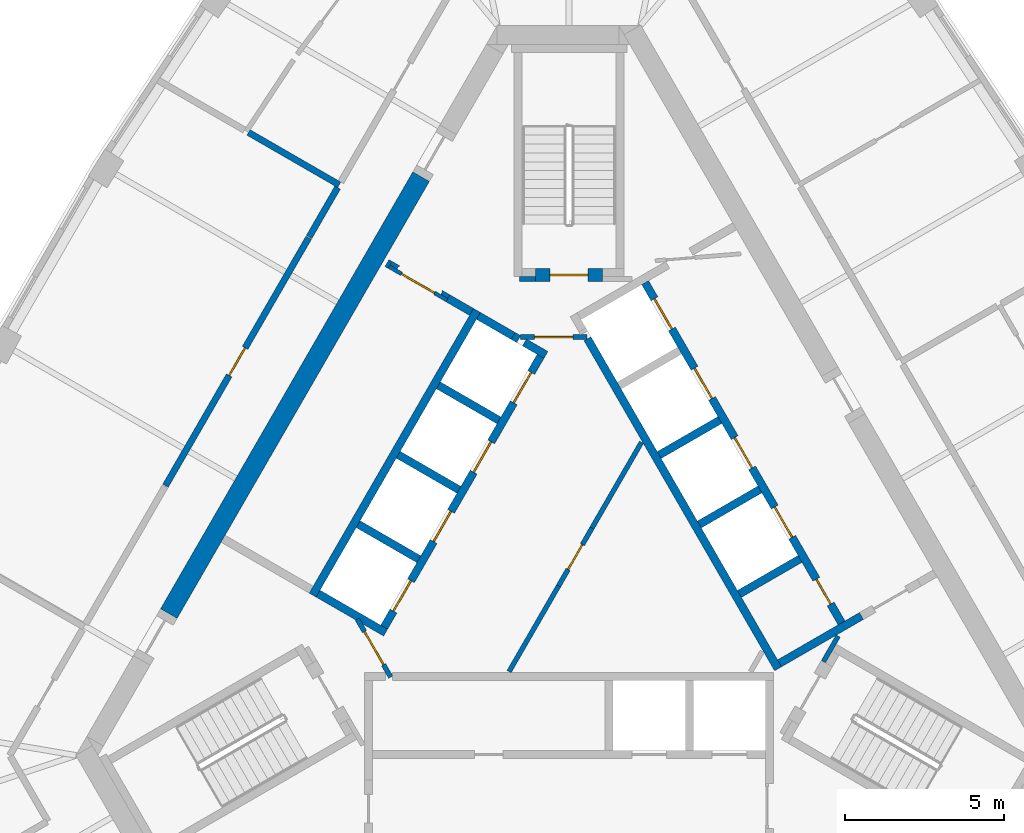
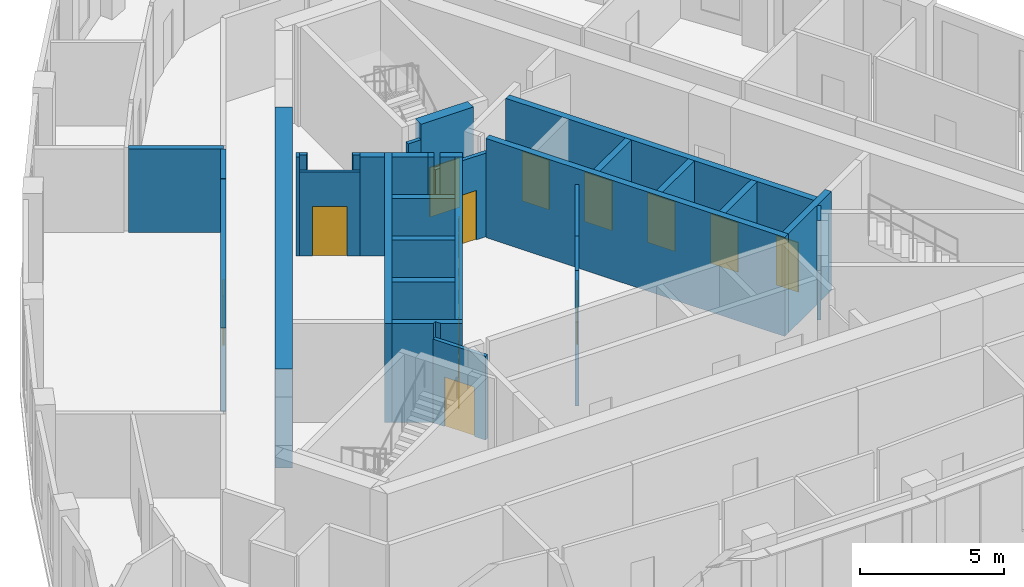
# One storey, part 5 of 10: 32 walls, 15 doors, 15 openings.
"""IFC4 building model written with IfcOpenShell, lengths in metres."""

import ifcopenshell
import ifcopenshell.guid

model = None  # the IFC model being written
_history = None  # IfcOwnerHistory: only IFC2X3 demands one
_inside = {}  # id of a spatial element -> (the spatial element, [elements in it])
_under = {}  # id of a project, library or spatial element -> (it, [spatial elements below it])
_declared = {}  # id of a project -> (the project, [libraries it declares])
_typed = {}  # id of a type object -> (the type object, [elements of that type])
_made_of = {}  # id of a material, layer set ... -> (it, [elements and type objects made of it])


def new_model(schema):
    """Start an empty IFC model of exactly this schema.

    Asked for "IFC4X3", IfcOpenShell would pick the latest addendum, in which some entities
    have other attributes; the version numbers below select the first issue.
    IFC2X3 requires an IfcOwnerHistory on every rooted entity: one is made here for all.
    """
    global model, _history
    if schema == "IFC4X3":
        model = ifcopenshell.file(schema_version=(4, 3, 0, 0))
    else:
        model = ifcopenshell.file(schema=schema)
    _inside.clear()
    _under.clear()
    _declared.clear()
    _typed.clear()
    _made_of.clear()
    _history = None
    if model.schema == "IFC2X3":
        org = make("IfcOrganization", Name="unknown")
        user = make(
            "IfcPersonAndOrganization",
            ThePerson=make("IfcPerson", FamilyName="unknown"),
            TheOrganization=org,
        )
        app = make(
            "IfcApplication",
            ApplicationDeveloper=org,
            Version="unknown",
            ApplicationFullName="unknown",
            ApplicationIdentifier="unknown",
        )
        _history = make(
            "IfcOwnerHistory",
            OwningUser=user,
            OwningApplication=app,
            ChangeAction="ADDED",
            CreationDate=0,
        )
    return model


def make(cls, **values):
    """One entity of the class cls with the attributes given. An attribute that is None is left unset."""
    return model.create_entity(
        cls, **{name: value for name, value in values.items() if value is not None}
    )


def rooted(cls, **values):
    """An entity with a GlobalId (a new one), such as an element, a storey or a relation."""
    return make(cls, GlobalId=ifcopenshell.guid.new(), OwnerHistory=_history, **values)


def si_unit(unit_type, name, prefix=None):
    """IfcSIUnit, for example si_unit("LENGTHUNIT", "METRE", prefix="MILLI")."""
    return make("IfcSIUnit", UnitType=unit_type, Prefix=prefix, Name=name)


def assignment(units):
    """IfcUnitAssignment: the units of a project."""
    return None if units is None else make("IfcUnitAssignment", Units=units)


def point(xyz):
    """IfcCartesianPoint."""
    return None if xyz is None else make("IfcCartesianPoint", Coordinates=xyz)


def direction(xyz):
    """IfcDirection."""
    return None if xyz is None else make("IfcDirection", DirectionRatios=xyz)


def frame(location, z_axis=None, x_axis=None):
    """IfcAxis2Placement3D, a coordinate frame: its origin and axes. An axis left out is left unset."""
    return make(
        "IfcAxis2Placement3D",
        Location=point(location),
        Axis=direction(z_axis),
        RefDirection=direction(x_axis),
    )


def frame_2d(location, x_axis=None):
    """IfcAxis2Placement2D, a coordinate frame in the plane: its origin and x axis."""
    return make(
        "IfcAxis2Placement2D", Location=point(location), RefDirection=direction(x_axis)
    )


def origin():
    """The frame at (0, 0, 0) with its axes left unset."""
    return frame((0.0, 0.0, 0.0))


def place(relative_to, where):
    """IfcLocalPlacement: puts the frame where relative to a parent placement (None: the world)."""
    return make(
        "IfcLocalPlacement", PlacementRelTo=relative_to, RelativePlacement=where
    )


def context(
    kind, dimensions, precision=None, world=None, true_north=None, identifier=None
):
    """IfcGeometricRepresentationContext, for example the 3D "Model" context."""
    return make(
        "IfcGeometricRepresentationContext",
        ContextIdentifier=identifier,
        ContextType=kind,
        CoordinateSpaceDimension=dimensions,
        Precision=precision,
        WorldCoordinateSystem=world,
        TrueNorth=true_north,
    )


def subcontext(parent, identifier, kind, view, scale=None):
    """IfcGeometricRepresentationSubContext, for example "Body" below "Model"."""
    return make(
        "IfcGeometricRepresentationSubContext",
        ContextIdentifier=identifier,
        ContextType=kind,
        ParentContext=parent,
        TargetScale=scale,
        TargetView=view,
    )


def project(units=None, contexts=None):
    """IfcProject with its units and contexts."""
    return rooted(
        "IfcProject",
        Name="project",
        RepresentationContexts=contexts,
        UnitsInContext=assignment(units),
    )


def spatial(cls, under=None, at=None, **own):
    """A site, building, storey or space (cls), placed at a placement, below another one or the project."""
    s = rooted(cls, ObjectPlacement=at, **own)
    if under is not None:
        _under.setdefault(under.id(), (under, []))[1].append(s)
    return s


def polyline(points):
    """IfcPolyline through the points."""
    return make("IfcPolyline", Points=[point(p) for p in points])


def profile(cls, at=None, kind="AREA", **sizes):
    """A parametric profile (cls). Its sizes go by their IFC names, for example OverallWidth=200.0."""
    return make(cls, ProfileType=kind, Position=at, **sizes)


def rectangle(**sizes):
    """IfcRectangleProfileDef."""
    return profile("IfcRectangleProfileDef", **sizes)


def outline(outer, holes=None, kind="AREA"):
    """IfcArbitraryClosedProfileDef: a profile drawn as a closed curve; with holes, ...WithVoids."""
    if holes is None:
        return make("IfcArbitraryClosedProfileDef", ProfileType=kind, OuterCurve=outer)
    return make(
        "IfcArbitraryProfileDefWithVoids",
        ProfileType=kind,
        OuterCurve=outer,
        InnerCurves=holes,
    )


def extrude(swept, where, along, depth):
    """IfcExtrudedAreaSolid: the profile swept, set in the frame where, extruded along a direction by depth."""
    return make(
        "IfcExtrudedAreaSolid",
        SweptArea=swept,
        Position=where,
        ExtrudedDirection=direction(along),
        Depth=depth,
    )


def shape(context_of_items, identifier, shape_type, items):
    """IfcShapeRepresentation: the items that make up one representation, for example the "Body"."""
    return make(
        "IfcShapeRepresentation",
        ContextOfItems=context_of_items,
        RepresentationIdentifier=identifier,
        RepresentationType=shape_type,
        Items=items,
    )


def material(Name=None, Category=None):
    """IfcMaterial."""
    return make("IfcMaterial", Name=Name, Category=Category)


def layer(
    of_material, thickness, ventilated=None, Name=None, Category=None, Priority=None
):
    """IfcMaterialLayer: one layer of a wall or slab, of a material (None: an air gap)."""
    return make(
        "IfcMaterialLayer",
        Material=of_material,
        LayerThickness=thickness,
        IsVentilated=ventilated,
        Name=Name,
        Category=Category,
        Priority=Priority,
    )


def layer_set(layers, Name=None):
    """IfcMaterialLayerSet."""
    return make("IfcMaterialLayerSet", MaterialLayers=layers, LayerSetName=Name)


def made_of(thing, what):
    """Note that an element or type object is made of a material, layer set ...; save() writes the relation."""
    if what is not None:
        _made_of.setdefault(what.id(), (what, []))[1].append(thing)
    return thing


def type_object(cls, material=None, **own):
    """A type object (cls), such as IfcWallType, which elements share."""
    return made_of(rooted(cls, **own), material)


def element(
    cls,
    number,
    at=None,
    inside=None,
    cuts=None,
    type_object=None,
    material=None,
    context=None,
    identifier="Body",
    shape_type=None,
    held_by="IfcProductDefinitionShape",
    body=None,
    shapes=None,
    **own,
):
    """One element of the class cls, such as IfcWall. Its Tag is "e" and its number.

    at: its placement. inside: the storey or other place that contains it. cuts: it is an
    opening in that element (IfcRelVoidsElement). A single representation is given by context,
    identifier, shape_type and body (its items); several are given by shapes. held_by: the class
    of the entity that holds the representations. save() writes the other relations.
    """
    e = rooted(cls, Tag="e%d" % number, ObjectPlacement=at, **own)
    if body is not None:
        shapes = [shape(context, identifier, shape_type, body)]
    if shapes is not None:
        e.Representation = make(held_by, Representations=shapes)
    if inside is not None:
        _inside.setdefault(inside.id(), (inside, []))[1].append(e)
    if cuts is not None:
        rooted(
            "IfcRelVoidsElement", RelatingBuildingElement=cuts, RelatedOpeningElement=e
        )
    if type_object is not None:
        _typed.setdefault(type_object.id(), (type_object, []))[1].append(e)
    return made_of(e, material)


def fill(opening, filler):
    """IfcRelFillsElement: the door or window that sits in an opening."""
    return rooted(
        "IfcRelFillsElement",
        RelatingOpeningElement=opening,
        RelatedBuildingElement=filler,
    )


def aggregate(whole, parts):
    """IfcRelAggregates: a whole, such as a stair, and the parts it consists of."""
    return rooted("IfcRelAggregates", RelatingObject=whole, RelatedObjects=parts)


def save(model, path):
    """Write the relations noted so far, then the file.

    IfcRelAggregates (storeys below a building ...), IfcRelContainedInSpatialStructure (elements
    in a storey), IfcRelDefinesByType, IfcRelAssociatesMaterial and IfcRelDeclares: one each for
    every whole, place, type object, material and project.
    """
    for whole, parts in _under.values():
        aggregate(whole, parts)
    for where, things in _inside.values():
        rooted(
            "IfcRelContainedInSpatialStructure",
            RelatedElements=things,
            RelatingStructure=where,
        )
    for kind, things in _typed.values():
        rooted("IfcRelDefinesByType", RelatedObjects=things, RelatingType=kind)
    for what, things in _made_of.values():
        rooted("IfcRelAssociatesMaterial", RelatedObjects=things, RelatingMaterial=what)
    for by, libraries in _declared.values():
        rooted("IfcRelDeclares", RelatingContext=by, RelatedDefinitions=libraries)
    model.write(path)


model = new_model("IFC4")

# Units and contexts
model_context = context("Model", 3, precision=1e-05, world=origin(), true_north=direction((0.0, 1.0)))
body_context = subcontext(model_context, "Body", "Model", "MODEL_VIEW")
ifc_project = project(units=[si_unit("LENGTHUNIT", "METRE"), si_unit("AREAUNIT", "SQUARE_METRE"), si_unit("VOLUMEUNIT", "CUBIC_METRE"), si_unit("PLANEANGLEUNIT", "RADIAN"), si_unit("MASSUNIT", "GRAM", prefix="KILO")], contexts=[model_context])

# Site, building, storey
site_placement = place(None, origin())
site = spatial("IfcSite", under=ifc_project, at=site_placement, CompositionType="ELEMENT")
building_placement = place(site_placement, origin())
building = spatial("IfcBuilding", under=site, at=building_placement, Name="Mestral Congress Tower", CompositionType="ELEMENT")
storey_placement = place(building_placement, frame((0.0, 0.0, 309.0)))
storey = spatial("IfcBuildingStorey", under=building, at=storey_placement, Name="L72", CompositionType="ELEMENT", Elevation=309.0)

# Walls
ifc_material_1 = material(Name="Fire-rated board partition")
ifc_layer_1 = layer(ifc_material_1, 0.14990234375)
ifc_layer_set_1 = layer_set([ifc_layer_1], Name="Fire-rated board partition")
wall_type_1 = type_object("IfcWallType", Name="Core partition 150", PredefinedType="PARTITIONING", material=ifc_layer_set_1)
wall_1_placement = place(storey_placement, frame((-1.56396484375, 8.62548828125, 0.0), z_axis=(0.0, 0.0, 1.0), x_axis=(1.0, 0.0, 0.0)))
element("IfcWall", 1, at=wall_1_placement, inside=storey, type_object=wall_type_1, Name="L72 core wall", PredefinedType="PARTITIONING", context=body_context, shape_type="SweptSolid", body=[
    extrude(rectangle(XDim=0.513916015625, YDim=0.14990234375, at=frame_2d((0.2568359375, 0.0))), origin(), (0.0, 0.0, 1.0), 3.550048828125),
])
wall_2_placement = place(storey_placement, frame((-1.886962890625, -3.71826171875, 0.0), z_axis=(0.0, 0.0, 1.0), x_axis=(0.500043732237, 0.866000153493, 0.0)))
element("IfcWall", 2, at=wall_2_placement, inside=storey, type_object=wall_type_1, Name="L72 core wall", PredefinedType="PARTITIONING", context=body_context, shape_type="SweptSolid", body=[
    extrude(rectangle(XDim=3.113525390625, YDim=0.14990234375, at=frame_2d((1.556640625, 0.0))), origin(), (0.0, 0.0, 1.0), 3.550048828125),
])
wall_3_placement = place(storey_placement, frame((0.719970703125, 0.796875, 0.0), z_axis=(0.0, 0.0, 1.0), x_axis=(0.499984921984, 0.866034108906, 0.0)))
element("IfcWall", 3, at=wall_3_placement, inside=storey, type_object=wall_type_1, Name="L72 core wall", PredefinedType="PARTITIONING", context=body_context, shape_type="SweptSolid", body=[
    extrude(rectangle(XDim=3.11328125, YDim=0.14990234375, at=frame_2d((1.556640625, 0.0))), origin(), (0.0, 0.0, 1.0), 3.550048828125),
])

# Wall, opening, door
wall_4_placement = place(storey_placement, frame((-0.330078125, -1.021728515625, 0.0), z_axis=(0.0, 0.0, 1.0), x_axis=(0.500027713859, 0.866009402589, 0.0)))
wall_4 = element("IfcWall", 4, at=wall_4_placement, inside=storey, type_object=wall_type_1, Name="L72 door wall", PredefinedType="PARTITIONING", context=body_context, shape_type="SweptSolid", body=[
    extrude(rectangle(XDim=2.10009765625, YDim=0.14990234375, at=frame_2d((1.050048828125, 0.0))), origin(), (0.0, 0.0, 1.0), 3.550048828125),
])
opening_1_placement = place(wall_4_placement, frame((0.60009765625, 0.0, 0.0)))
opening_1 = element("IfcOpeningElement", 5, at=opening_1_placement, cuts=wall_4, Name="Opening CD1-HUB0", PredefinedType="OPENING", context=body_context, shape_type="SweptSolid", body=[
    extrude(rectangle(XDim=0.89990234375, YDim=2.10009765625, at=frame_2d((0.449951171875, 1.050048828125))), frame((0.0, 0.0849609375, 0.0), z_axis=(0.0, -1.0, 0.0), x_axis=(1.0, 0.0, 0.0)), (0.0, 0.0, 1.0), 0.169921875),
])
ifc_material_2 = material(Name="Fire-rated steel door set", Category="steel")
door_type_1 = type_object("IfcDoorType", Name="Core door CD 900x2100", OperationType="SINGLE_SWING_LEFT", PredefinedType="DOOR", material=ifc_material_2)
door_1_placement = place(opening_1_placement, origin())
door_1 = element("IfcDoor", 6, at=door_1_placement, inside=storey, type_object=door_type_1, Name="Door CD1-HUB0", OperationType="SINGLE_SWING_LEFT", OverallHeight=2.10009765625, OverallWidth=0.89990234375, PredefinedType="DOOR", context=body_context, shape_type="SweptSolid", body=[
    extrude(rectangle(XDim=0.89990234375, YDim=2.10009765625, at=frame_2d((0.449951171875, 1.050048828125))), frame((0.0, 0.02490234375, 0.0), z_axis=(0.0, -1.0, 0.0), x_axis=(1.0, 0.0, 0.0)), (0.0, 0.0, 1.0), 0.050048828125),
])
fill(opening_1, door_1)

wall_5_placement = place(storey_placement, frame((-1.534423828125, 6.800048828125, 0.0), z_axis=(0.0, 0.0, 1.0), x_axis=(1.0, 0.0, 0.0)))
wall_5 = element("IfcWall", 7, at=wall_5_placement, inside=storey, type_object=wall_type_1, Name="L72 door wall", PredefinedType="PARTITIONING", context=body_context, shape_type="SweptSolid", body=[
    extrude(rectangle(XDim=2.099853515625, YDim=0.14990234375, at=frame_2d((1.0498046875, 0.0))), origin(), (0.0, 0.0, 1.0), 3.550048828125),
])
opening_2_placement = place(wall_5_placement, frame((0.449951171875, 0.0, 0.0)))
opening_2 = element("IfcOpeningElement", 8, at=opening_2_placement, cuts=wall_5, Name="Opening CD2-FF", PredefinedType="OPENING", context=body_context, shape_type="SweptSolid", body=[
    extrude(rectangle(XDim=1.199951171875, YDim=2.10009765625, at=frame_2d((0.60009765625, 1.050048828125))), frame((0.0, 0.0849609375, 0.0), z_axis=(0.0, -1.0, 0.0), x_axis=(1.0, 0.0, 0.0)), (0.0, 0.0, 1.0), 0.169921875),
])
door_type_2 = type_object("IfcDoorType", Name="Core door CD 1200x2100", OperationType="SINGLE_SWING_LEFT", PredefinedType="DOOR", material=ifc_material_2)
door_2_placement = place(opening_2_placement, origin())
door_2 = element("IfcDoor", 9, at=door_2_placement, inside=storey, type_object=door_type_2, Name="Door CD2-FF", OperationType="SINGLE_SWING_LEFT", OverallHeight=2.10009765625, OverallWidth=1.199951171875, PredefinedType="DOOR", context=body_context, shape_type="SweptSolid", body=[
    extrude(rectangle(XDim=1.199951171875, YDim=2.10009765625, at=frame_2d((0.60009765625, 1.050048828125))), frame((0.0, 0.02490234375, 0.0), z_axis=(0.0, -1.0, 0.0), x_axis=(1.0, 0.0, 0.0)), (0.0, 0.0, 1.0), 0.050048828125),
])
fill(opening_2, door_2)

wall_6_placement = place(storey_placement, frame((-5.606201171875, -3.8896484375, 0.0), z_axis=(0.0, 0.0, 1.0), x_axis=(-0.500027713859, 0.866009402589, 0.0)))
wall_6 = element("IfcWall", 10, at=wall_6_placement, inside=storey, type_object=wall_type_1, Name="L72 door wall", PredefinedType="PARTITIONING", context=body_context, shape_type="SweptSolid", body=[
    extrude(rectangle(XDim=2.10009765625, YDim=0.14990234375, at=frame_2d((1.050048828125, 0.0))), origin(), (0.0, 0.0, 1.0), 3.550048828125),
])
opening_3_placement = place(wall_6_placement, frame((0.449951171875, 0.0, 0.0)))
opening_3 = element("IfcOpeningElement", 11, at=opening_3_placement, cuts=wall_6, Name="Opening CD3-FF", PredefinedType="OPENING", context=body_context, shape_type="SweptSolid", body=[
    extrude(rectangle(XDim=1.199951171875, YDim=2.10009765625, at=frame_2d((0.60009765625, 1.050048828125))), frame((0.0, 0.0849609375, 0.0), z_axis=(0.0, -1.0, 0.0), x_axis=(1.0, 0.0, 0.0)), (0.0, 0.0, 1.0), 0.169921875),
])
door_3_placement = place(opening_3_placement, origin())
door_3 = element("IfcDoor", 12, at=door_3_placement, inside=storey, type_object=door_type_2, Name="Door CD3-FF", OperationType="SINGLE_SWING_LEFT", OverallHeight=2.10009765625, OverallWidth=1.199951171875, PredefinedType="DOOR", context=body_context, shape_type="SweptSolid", body=[
    extrude(rectangle(XDim=1.199951171875, YDim=2.10009765625, at=frame_2d((0.60009765625, 1.050048828125))), frame((0.0, 0.02490234375, 0.0), z_axis=(0.0, -1.0, 0.0), x_axis=(1.0, 0.0, 0.0)), (0.0, 0.0, 1.0), 0.050048828125),
])
fill(opening_3, door_3)

ifc_layer_2 = layer(ifc_material_1, 0.1201171875)
ifc_layer_set_2 = layer_set([ifc_layer_2], Name="Fire-rated board partition")
wall_type_2 = type_object("IfcWallType", Name="Core partition 150 door-wall 120", PredefinedType="PARTITIONING", material=ifc_layer_set_2)
wall_7_placement = place(storey_placement, frame((-5.65869140625, 9.01171875, 0.0), z_axis=(0.0, 0.0, 1.0), x_axis=(0.866009402589, -0.500027713859, 0.0)))
wall_7 = element("IfcWall", 13, at=wall_7_placement, inside=storey, type_object=wall_type_2, Name="L72 door wall", PredefinedType="PARTITIONING", context=body_context, shape_type="SweptSolid", body=[
    extrude(rectangle(XDim=2.10009765625, YDim=0.1201171875, at=frame_2d((1.050048828125, 0.0))), origin(), (0.0, 0.0, 1.0), 3.550048828125),
])
opening_4_placement = place(wall_7_placement, frame((0.449951171875, 0.0, 0.0)))
opening_4 = element("IfcOpeningElement", 14, at=opening_4_placement, cuts=wall_7, Name="Opening LB2-WL2", PredefinedType="OPENING", context=body_context, shape_type="SweptSolid", body=[
    extrude(rectangle(XDim=1.199951171875, YDim=2.10009765625, at=frame_2d((0.60009765625, 1.050048828125))), frame((0.0, 0.070068359375, 0.0), z_axis=(0.0, -1.0, 0.0), x_axis=(1.0, 0.0, 0.0)), (0.0, 0.0, 1.0), 0.14013671875),
])
door_type_3 = type_object("IfcDoorType", Name="Core door LB 1200x2100", OperationType="SINGLE_SWING_LEFT", PredefinedType="DOOR", material=ifc_material_2)
door_4_placement = place(opening_4_placement, origin())
door_4 = element("IfcDoor", 15, at=door_4_placement, inside=storey, type_object=door_type_3, Name="Door LB2-WL2", OperationType="SINGLE_SWING_LEFT", OverallHeight=2.10009765625, OverallWidth=1.199951171875, PredefinedType="DOOR", context=body_context, shape_type="SweptSolid", body=[
    extrude(rectangle(XDim=1.199951171875, YDim=2.10009765625, at=frame_2d((0.60009765625, 1.050048828125))), frame((0.0, 0.02490234375, 0.0), z_axis=(0.0, -1.0, 0.0), x_axis=(1.0, 0.0, 0.0)), (0.0, 0.0, 1.0), 0.050048828125),
])
fill(opening_4, door_4)

# Walls
ifc_material_3 = material(Name="Concrete C60/75", Category="concrete")
ifc_layer_3 = layer(ifc_material_3, 0.60009765625)
ifc_layer_set_3 = layer_set([ifc_layer_3], Name="Concrete C60/75")
wall_type_3 = type_object("IfcWallType", Name="Core wall RC 600", PredefinedType="SOLIDWALL", material=ifc_layer_set_3)
wall_8_placement = place(storey_placement, frame((-12.58154296875, -1.891845703125, 0.0), z_axis=(0.0, 0.0, 1.0), x_axis=(0.500003640647, 0.866023301845, 0.0)))
element("IfcWall", 16, at=wall_8_placement, inside=storey, type_object=wall_type_3, Name="L72 core wall", PredefinedType="SOLIDWALL", context=body_context, shape_type="SweptSolid", body=[
    extrude(rectangle(XDim=15.8583984375, YDim=0.60009765625, at=frame_2d((7.92919921875, 0.0))), origin(), (0.0, 0.0, 1.0), 4.199951171875),
])
ifc_material_4 = material(Name="Dense masonry wall, plastered", Category="masonry")
ifc_layer_4 = layer(ifc_material_4, 0.199951171875)
ifc_layer_set_4 = layer_set([ifc_layer_4], Name="Dense masonry wall, plastered")
wall_type_4 = type_object("IfcWallType", Name="Office tenancy wall 200", PredefinedType="PARTITIONING", material=ifc_layer_set_4)
wall_9_placement = place(storey_placement, frame((-7.2255859375, 11.585205078125, 0.0), z_axis=(0.0, 0.0, 1.0), x_axis=(-0.866034923029, 0.499983511822, 0.0)))
element("IfcWall", 17, at=wall_9_placement, inside=storey, type_object=wall_type_4, Name="Tenancy wall", PredefinedType="PARTITIONING", context=body_context, shape_type="SweptSolid", body=[
    extrude(rectangle(XDim=3.2919921875, YDim=0.199951171875, at=frame_2d((1.64599609375, 0.0))), origin(), (0.0, 0.0, 1.0), 3.550048828125),
])

# Wall, opening, door
wall_10_placement = place(storey_placement, frame((-8.185546875, 9.922119140625, 0.0), z_axis=(0.0, 0.0, 1.0), x_axis=(-0.5000018851, -0.866024315419, 0.0)))
wall_10 = element("IfcWall", 18, at=wall_10_placement, inside=storey, type_object=wall_type_4, Name="Tenancy wall", PredefinedType="PARTITIONING", context=body_context, shape_type="SweptSolid", body=[
    extrude(rectangle(XDim=9.0, YDim=0.199951171875, at=frame_2d((4.5, 0.0))), origin(), (0.0, 0.0, 1.0), 3.550048828125),
])
opening_5_placement = place(wall_10_placement, frame((4.0, 0.0, 0.0)))
opening_5 = element("IfcOpeningElement", 19, at=opening_5_placement, cuts=wall_10, Name="Opening O14-014", PredefinedType="OPENING", context=body_context, shape_type="SweptSolid", body=[
    extrude(rectangle(XDim=1.0, YDim=2.10009765625, at=frame_2d((0.5, 1.050048828125))), frame((0.0, 0.10986328125, 0.0), z_axis=(0.0, -1.0, 0.0), x_axis=(1.0, 0.0, 0.0)), (0.0, 0.0, 1.0), 0.219970703125),
])
ifc_material_5 = material(Name="Fire-rated timber door set", Category="wood")
door_type_4 = type_object("IfcDoorType", Name="Office tenancy entrance door 1000x2100", OperationType="SINGLE_SWING_LEFT", PredefinedType="DOOR", material=ifc_material_5)
door_5_placement = place(opening_5_placement, origin())
door_5 = element("IfcDoor", 20, at=door_5_placement, inside=storey, type_object=door_type_4, Name="Door O14-014", OperationType="SINGLE_SWING_LEFT", OverallHeight=2.10009765625, OverallWidth=1.0, PredefinedType="DOOR", context=body_context, shape_type="SweptSolid", body=[
    extrude(rectangle(XDim=1.0, YDim=2.10009765625, at=frame_2d((0.5, 1.050048828125))), frame((0.0, 0.02490234375, 0.0), z_axis=(0.0, -1.0, 0.0), x_axis=(1.0, 0.0, 0.0)), (0.0, 0.0, 1.0), 0.050048828125),
])
fill(opening_5, door_5)

# Walls
wall_11_placement = place(storey_placement, frame((-7.275390625, 11.49853515625, 0.0), z_axis=(0.0, 0.0, 1.0), x_axis=(-0.500025407441, -0.866010734295, 0.0)))
element("IfcWall", 21, at=wall_11_placement, inside=storey, type_object=wall_type_4, Name="Tenancy wall", PredefinedType="PARTITIONING", context=body_context, shape_type="SweptSolid", body=[
    extrude(rectangle(XDim=1.79052734375, YDim=0.199951171875, at=frame_2d((0.895263671875, 0.0))), origin(), (0.0, 0.0, 1.0), 3.550048828125),
])
ifc_layer_5 = layer(ifc_material_3, 0.25)
ifc_layer_set_5 = layer_set([ifc_layer_5], Name="Concrete C60/75")
wall_type_5 = type_object("IfcWallType", Name="Shaft wall RC 250", PredefinedType="SOLIDWALL", material=ifc_layer_set_5)
wall_12_placement = place(storey_placement, frame((6.568359375, -3.626708984375, 0.0), z_axis=(0.0, 0.0, 1.0), x_axis=(-0.499999455981, 0.866025717874, 0.0)))
element("IfcWall", 22, at=wall_12_placement, inside=storey, type_object=wall_type_5, Name="L72 core wall", PredefinedType="SOLIDWALL", context=body_context, shape_type="SweptSolid", body=[
    extrude(rectangle(XDim=11.97802734375, YDim=0.25, at=frame_2d((5.989013671875, 0.0))), origin(), (0.0, 0.0, 1.0), 4.199951171875),
])
for number, where, z_axis, x_axis, name in (
    (23, (2.833984375, 3.091064453125, 0.0), (0.0, 0.0, 1.0), (0.866008176907, 0.50002983664, 0.0), "L72 core wall"),
    (24, (4.093994140625, 0.90869140625, 0.0), (0.0, 0.0, 1.0), (0.866008176907, 0.50002983664, 0.0), "L72 core wall"),
    (25, (5.35400390625, -1.273681640625, 0.0), (0.0, 0.0, 1.0), (0.866008176907, 0.50002983664, 0.0), "L72 core wall"),
):
    element("IfcWall", number, at=place(storey_placement, frame(where, z_axis=z_axis, x_axis=x_axis)), inside=storey, type_object=wall_type_5, Name=name, PredefinedType="SOLIDWALL", context=body_context, shape_type="SweptSolid", body=[
        extrude(rectangle(XDim=2.199951171875, YDim=0.25, at=frame_2d((1.10009765625, 0.0))), origin(), (0.0, 0.0, 1.0), 4.199951171875),
    ])
wall_13_placement = place(storey_placement, frame((6.614013671875, -3.4560546875, 0.0), z_axis=(0.0, 0.0, 1.0), x_axis=(0.866032512851, 0.499987686533, 0.0)))
element("IfcWall", 26, at=wall_13_placement, inside=storey, type_object=wall_type_5, Name="L72 core wall", PredefinedType="SOLIDWALL", context=body_context, shape_type="SweptSolid", body=[
    extrude(rectangle(XDim=2.974609375, YDim=0.25, at=frame_2d((1.4873046875, 0.0))), origin(), (0.0, 0.0, 1.0), 4.199951171875),
])
wall_14_placement = place(storey_placement, frame((-8.06005859375, -1.310546875, 0.0), z_axis=(0.0, 0.0, 1.0), x_axis=(0.50000273126, 0.866023826885, 0.0)))
element("IfcWall", 27, at=wall_14_placement, inside=storey, type_object=wall_type_5, Name="L72 core wall", PredefinedType="SOLIDWALL", context=body_context, shape_type="SweptSolid", body=[
    extrude(rectangle(XDim=10.330078125, YDim=0.25, at=frame_2d((5.1650390625, 0.0))), origin(), (0.0, 0.0, 1.0), 4.199951171875),
])
wall_15_placement = place(storey_placement, frame((-1.75830078125, 6.834716796875, 0.0), z_axis=(0.0, 0.0, 1.0), x_axis=(0.865982457891, -0.500074377092, 0.0)))
element("IfcWall", 28, at=wall_15_placement, inside=storey, type_object=wall_type_5, Name="L72 core wall", PredefinedType="SOLIDWALL", context=body_context, shape_type="SweptSolid", body=[
    extrude(rectangle(XDim=0.2001953125, YDim=0.25, at=frame_2d((0.10009765625, 0.0))), origin(), (0.0, 0.0, 1.0), 4.199951171875),
])
wall_16_placement = place(storey_placement, frame((-1.760009765625, 6.835693359375, 0.0), z_axis=(0.0, 0.0, 1.0), x_axis=(-0.865952863304, 0.500125622755, 0.0)))
element("IfcWall", 29, at=wall_16_placement, inside=storey, type_object=wall_type_5, Name="L72 core wall", PredefinedType="SOLIDWALL", context=body_context, shape_type="SweptSolid", body=[
    extrude(rectangle(XDim=1.258056640625, YDim=0.25, at=frame_2d((0.62890625, 0.0))), origin(), (0.0, 0.0, 1.0), 4.199951171875),
])
wall_17_placement = place(storey_placement, frame((-0.7275390625, 6.23974609375, 0.0), z_axis=(0.0, 0.0, 1.0), x_axis=(-0.865955664968, 0.500120771724, 0.0)))
element("IfcWall", 30, at=wall_17_placement, inside=storey, type_object=wall_type_5, Name="L72 core wall", PredefinedType="SOLIDWALL", context=body_context, shape_type="SweptSolid", body=[
    extrude(rectangle(XDim=0.778076171875, YDim=0.25, at=frame_2d((0.38916015625, 0.0))), origin(), (0.0, 0.0, 1.0), 4.199951171875),
])
for number, where, z_axis, x_axis, name in (
    (31, (-2.2041015625, 4.182373046875, 0.0), (0.0, 0.0, 1.0), (-0.866008176907, 0.50002983664, 0.0), "L72 core wall"),
    (32, (-5.369384765625, 3.10009765625, 0.0), (0.0, 0.0, 1.0), (0.866008176907, -0.50002983664, 0.0), "L72 core wall"),
    (33, (-4.72412109375, -0.182373046875, 0.0), (0.0, 0.0, 1.0), (-0.866008176907, 0.50002983664, 0.0), "L72 core wall"),
):
    element("IfcWall", number, at=place(storey_placement, frame(where, z_axis=z_axis, x_axis=x_axis)), inside=storey, type_object=wall_type_5, Name=name, PredefinedType="SOLIDWALL", context=body_context, shape_type="SweptSolid", body=[
        extrude(rectangle(XDim=2.199951171875, YDim=0.25, at=frame_2d((1.10009765625, 0.0))), origin(), (0.0, 0.0, 1.0), 4.199951171875),
    ])
placement = place(storey_placement, origin())
element("IfcWall", 34, at=placement, inside=storey, type_object=wall_type_5, Name="L72 core wall", PredefinedType="SOLIDWALL", context=body_context, shape_type="SweptSolid", body=[
    extrude(outline(polyline([(-5.921630859375, -2.256591796875), (-5.921630859375, -2.256591796875), (-5.705078125, -2.381591796875), (-5.830078125, -2.597900390625), (-6.48291015625, -2.22119140625), (-6.59130859375, -2.033447265625), (-6.59130859375, -2.033447265625), (-6.69970703125, -2.095947265625), (-7.951904296875, -1.373046875), (-7.826904296875, -1.156494140625), (-5.921630859375, -2.256591796875)])), origin(), (0.0, 0.0, 1.0), 4.199951171875),
])
wall_19_placement = place(storey_placement, frame((-5.724609375, 9.124755859375, 0.0), z_axis=(0.0, 0.0, 1.0), x_axis=(0.866185586049, -0.49972245349, 0.0)))
element("IfcWall", 35, at=wall_19_placement, inside=storey, type_object=wall_type_5, Name="L72 core wall", PredefinedType="SOLIDWALL", context=body_context, shape_type="SweptSolid", body=[
    extrude(rectangle(XDim=0.10986328125, YDim=0.25, at=frame_2d((0.054931640625, 0.0))), origin(), (0.0, 0.0, 1.0), 4.199951171875),
])
wall_20_placement = place(storey_placement, frame((-3.06591796875, 7.58984375, 0.0), z_axis=(0.0, 0.0, 1.0), x_axis=(-0.866081358704, 0.49990307071, 0.0)))
element("IfcWall", 36, at=wall_20_placement, inside=storey, type_object=wall_type_5, Name="L72 core wall", PredefinedType="SOLIDWALL", context=body_context, shape_type="SweptSolid", body=[
    extrude(rectangle(XDim=0.858154296875, YDim=0.25, at=frame_2d((0.42919921875, 0.0))), origin(), (0.0, 0.0, 1.0), 4.199951171875),
])
element("IfcWall", 37, at=placement, inside=storey, type_object=wall_type_5, Name="L72 core wall", PredefinedType="SOLIDWALL", context=body_context, shape_type="SweptSolid", body=[
    extrude(outline(polyline([(-3.748291015625, 8.1279296875), (-3.813232421875, 8.015380859375), (-4.026611328125, 8.138671875), (-4.0166015625, 8.156005859375), (-4.007568359375, 8.17333984375), (-4.000244140625, 8.191650390625), (-3.994873046875, 8.21044921875), (-3.991455078125, 8.229736328125), (-3.98974609375, 8.24951171875), (-3.989990234375, 8.267578125), (-3.748291015625, 8.1279296875)])), origin(), (0.0, 0.0, 1.0), 4.199951171875),
])
element("IfcWall", 38, at=placement, inside=storey, type_object=wall_type_5, Name="L72 core wall", PredefinedType="SOLIDWALL", context=body_context, shape_type="SweptSolid", body=[
    extrude(outline(polyline([(-5.688720703125, 8.959716796875), (-5.690185546875, 8.960693359375), (-5.565185546875, 9.177001953125), (-5.318603515625, 9.03466796875), (-5.334716796875, 9.02587890625), (-5.3505859375, 9.0146484375), (-5.36572265625, 9.001953125), (-5.37939453125, 8.98779296875), (-5.3916015625, 8.972412109375), (-5.402099609375, 8.955810546875), (-5.412109375, 8.938720703125), (-5.628662109375, 9.063720703125), (-5.628662109375, 9.063720703125), (-5.688720703125, 8.959716796875)])), origin(), (0.0, 0.0, 1.0), 4.199951171875),
])

# Wall, openings, doors
wall_23_placement = place(storey_placement, frame((8.565185546875, -2.185302734375, 0.0), z_axis=(0.0, 0.0, 1.0), x_axis=(-0.499997954832, 0.866026584559, 0.0)))
wall_23 = element("IfcWall", 39, at=wall_23_placement, inside=storey, type_object=wall_type_5, Name="L72 door wall", PredefinedType="SOLIDWALL", context=body_context, shape_type="SweptSolid", body=[
    extrude(rectangle(XDim=12.35009765625, YDim=0.25, at=frame_2d((6.175048828125, 0.0))), origin(), (0.0, 0.0, 1.0), 4.199951171875),
])
opening_6_placement = place(wall_23_placement, frame((0.68505859375, 0.0, 0.0)))
opening_6 = element("IfcOpeningElement", 40, at=opening_6_placement, cuts=wall_23, Name="Opening SR-NEB1", PredefinedType="OPENING", context=body_context, shape_type="SweptSolid", body=[
    extrude(rectangle(XDim=0.89990234375, YDim=2.10009765625, at=frame_2d((0.449951171875, 1.050048828125))), frame((0.0, 0.135009765625, 0.0), z_axis=(0.0, -1.0, 0.0), x_axis=(1.0, 0.0, 0.0)), (0.0, 0.0, 1.0), 0.27001953125),
])
opening_7_placement = place(wall_23_placement, frame((3.10498046875, 0.0, 0.0)))
opening_7 = element("IfcOpeningElement", 41, at=opening_7_placement, cuts=wall_23, Name="Opening LD-NEB2", PredefinedType="OPENING", context=body_context, shape_type="SweptSolid", body=[
    extrude(rectangle(XDim=1.10009765625, YDim=2.10009765625, at=frame_2d((0.550048828125, 1.050048828125))), frame((0.0, 0.135009765625, 0.0), z_axis=(0.0, -1.0, 0.0), x_axis=(1.0, 0.0, 0.0)), (0.0, 0.0, 1.0), 0.27001953125),
])
opening_8_placement = place(wall_23_placement, frame((5.625, 0.0, 0.0)))
opening_8 = element("IfcOpeningElement", 42, at=opening_8_placement, cuts=wall_23, Name="Opening LD-NEB3", PredefinedType="OPENING", context=body_context, shape_type="SweptSolid", body=[
    extrude(rectangle(XDim=1.10009765625, YDim=2.10009765625, at=frame_2d((0.550048828125, 1.050048828125))), frame((0.0, 0.135009765625, 0.0), z_axis=(0.0, -1.0, 0.0), x_axis=(1.0, 0.0, 0.0)), (0.0, 0.0, 1.0), 0.27001953125),
])
opening_9_placement = place(wall_23_placement, frame((8.14501953125, 0.0, 0.0)))
opening_9 = element("IfcOpeningElement", 43, at=opening_9_placement, cuts=wall_23, Name="Opening LD-NEB4", PredefinedType="OPENING", context=body_context, shape_type="SweptSolid", body=[
    extrude(rectangle(XDim=1.10009765625, YDim=2.10009765625, at=frame_2d((0.550048828125, 1.050048828125))), frame((0.0, 0.135009765625, 0.0), z_axis=(0.0, -1.0, 0.0), x_axis=(1.0, 0.0, 0.0)), (0.0, 0.0, 1.0), 0.27001953125),
])
opening_10_placement = place(wall_23_placement, frame((10.6650390625, 0.0, 0.0)))
opening_10 = element("IfcOpeningElement", 44, at=opening_10_placement, cuts=wall_23, Name="Opening LD-NEB5", PredefinedType="OPENING", context=body_context, shape_type="SweptSolid", body=[
    extrude(rectangle(XDim=1.10009765625, YDim=2.10009765625, at=frame_2d((0.550048828125, 1.050048828125))), frame((0.0, 0.135009765625, 0.0), z_axis=(0.0, -1.0, 0.0), x_axis=(1.0, 0.0, 0.0)), (0.0, 0.0, 1.0), 0.27001953125),
])
door_type_5 = type_object("IfcDoorType", Name="Core door LD 1100x2100", OperationType="DOUBLE_DOOR_SLIDING", PredefinedType="DOOR", material=ifc_material_2)
door_6_placement = place(opening_7_placement, origin())
door_6 = element("IfcDoor", 45, at=door_6_placement, inside=storey, type_object=door_type_5, Name="Door LD-NEB2", OperationType="DOUBLE_DOOR_SLIDING", OverallHeight=2.10009765625, OverallWidth=1.10009765625, PredefinedType="DOOR", context=body_context, shape_type="SweptSolid", body=[
    extrude(rectangle(XDim=1.10009765625, YDim=2.10009765625, at=frame_2d((0.550048828125, 1.050048828125))), frame((0.0, 0.02490234375, 0.0), z_axis=(0.0, -1.0, 0.0), x_axis=(1.0, 0.0, 0.0)), (0.0, 0.0, 1.0), 0.050048828125),
])
fill(opening_7, door_6)
door_7_placement = place(opening_8_placement, origin())
door_7 = element("IfcDoor", 46, at=door_7_placement, inside=storey, type_object=door_type_5, Name="Door LD-NEB3", OperationType="DOUBLE_DOOR_SLIDING", OverallHeight=2.10009765625, OverallWidth=1.10009765625, PredefinedType="DOOR", context=body_context, shape_type="SweptSolid", body=[
    extrude(rectangle(XDim=1.10009765625, YDim=2.10009765625, at=frame_2d((0.550048828125, 1.050048828125))), frame((0.0, 0.02490234375, 0.0), z_axis=(0.0, -1.0, 0.0), x_axis=(1.0, 0.0, 0.0)), (0.0, 0.0, 1.0), 0.050048828125),
])
fill(opening_8, door_7)
door_8_placement = place(opening_9_placement, origin())
door_8 = element("IfcDoor", 47, at=door_8_placement, inside=storey, type_object=door_type_5, Name="Door LD-NEB4", OperationType="DOUBLE_DOOR_SLIDING", OverallHeight=2.10009765625, OverallWidth=1.10009765625, PredefinedType="DOOR", context=body_context, shape_type="SweptSolid", body=[
    extrude(rectangle(XDim=1.10009765625, YDim=2.10009765625, at=frame_2d((0.550048828125, 1.050048828125))), frame((0.0, 0.02490234375, 0.0), z_axis=(0.0, -1.0, 0.0), x_axis=(1.0, 0.0, 0.0)), (0.0, 0.0, 1.0), 0.050048828125),
])
fill(opening_9, door_8)
door_9_placement = place(opening_10_placement, origin())
door_9 = element("IfcDoor", 48, at=door_9_placement, inside=storey, type_object=door_type_5, Name="Door LD-NEB5", OperationType="DOUBLE_DOOR_SLIDING", OverallHeight=2.10009765625, OverallWidth=1.10009765625, PredefinedType="DOOR", context=body_context, shape_type="SweptSolid", body=[
    extrude(rectangle(XDim=1.10009765625, YDim=2.10009765625, at=frame_2d((0.550048828125, 1.050048828125))), frame((0.0, 0.02490234375, 0.0), z_axis=(0.0, -1.0, 0.0), x_axis=(1.0, 0.0, 0.0)), (0.0, 0.0, 1.0), 0.050048828125),
])
fill(opening_10, door_9)
door_type_6 = type_object("IfcDoorType", Name="Core door SR 900x2100", OperationType="SINGLE_SWING_LEFT", PredefinedType="DOOR", material=ifc_material_2)
door_10_placement = place(opening_6_placement, origin())
door_10 = element("IfcDoor", 49, at=door_10_placement, inside=storey, type_object=door_type_6, Name="Door SR-NEB1", OperationType="SINGLE_SWING_LEFT", OverallHeight=2.10009765625, OverallWidth=0.89990234375, PredefinedType="DOOR", context=body_context, shape_type="SweptSolid", body=[
    extrude(rectangle(XDim=0.89990234375, YDim=2.10009765625, at=frame_2d((0.449951171875, 1.050048828125))), frame((0.0, 0.02490234375, 0.0), z_axis=(0.0, -1.0, 0.0), x_axis=(1.0, 0.0, 0.0)), (0.0, 0.0, 1.0), 0.050048828125),
])
fill(opening_6, door_10)

wall_24_placement = place(storey_placement, frame((-0.898193359375, 6.194091796875, 0.0), z_axis=(0.0, 0.0, 1.0), x_axis=(-0.499996202215, -0.866027596426, 0.0)))
wall_24 = element("IfcWall", 50, at=wall_24_placement, inside=storey, type_object=wall_type_5, Name="L72 door wall", PredefinedType="SOLIDWALL", context=body_context, shape_type="SweptSolid", body=[
    extrude(rectangle(XDim=9.830078125, YDim=0.25, at=frame_2d((4.9150390625, 0.0))), origin(), (0.0, 0.0, 1.0), 4.199951171875),
])
opening_11_placement = place(wall_24_placement, frame((0.5849609375, 0.0, 0.0)))
opening_11 = element("IfcOpeningElement", 51, at=opening_11_placement, cuts=wall_24, Name="Opening LD-NWB1", PredefinedType="OPENING", context=body_context, shape_type="SweptSolid", body=[
    extrude(rectangle(XDim=1.10009765625, YDim=2.10009765625, at=frame_2d((0.550048828125, 1.050048828125))), frame((0.0, 0.135009765625, 0.0), z_axis=(0.0, -1.0, 0.0), x_axis=(1.0, 0.0, 0.0)), (0.0, 0.0, 1.0), 0.27001953125),
])
opening_12_placement = place(wall_24_placement, frame((3.10498046875, 0.0, 0.0)))
opening_12 = element("IfcOpeningElement", 52, at=opening_12_placement, cuts=wall_24, Name="Opening LD-NWB2", PredefinedType="OPENING", context=body_context, shape_type="SweptSolid", body=[
    extrude(rectangle(XDim=1.10009765625, YDim=2.10009765625, at=frame_2d((0.550048828125, 1.050048828125))), frame((0.0, 0.135009765625, 0.0), z_axis=(0.0, -1.0, 0.0), x_axis=(1.0, 0.0, 0.0)), (0.0, 0.0, 1.0), 0.27001953125),
])
opening_13_placement = place(wall_24_placement, frame((5.625, 0.0, 0.0)))
opening_13 = element("IfcOpeningElement", 53, at=opening_13_placement, cuts=wall_24, Name="Opening LD-NWB3", PredefinedType="OPENING", context=body_context, shape_type="SweptSolid", body=[
    extrude(rectangle(XDim=1.10009765625, YDim=2.10009765625, at=frame_2d((0.550048828125, 1.050048828125))), frame((0.0, 0.135009765625, 0.0), z_axis=(0.0, -1.0, 0.0), x_axis=(1.0, 0.0, 0.0)), (0.0, 0.0, 1.0), 0.27001953125),
])
opening_14_placement = place(wall_24_placement, frame((8.14501953125, 0.0, 0.0)))
opening_14 = element("IfcOpeningElement", 54, at=opening_14_placement, cuts=wall_24, Name="Opening LD-NWB4", PredefinedType="OPENING", context=body_context, shape_type="SweptSolid", body=[
    extrude(rectangle(XDim=1.10009765625, YDim=2.10009765625, at=frame_2d((0.550048828125, 1.050048828125))), frame((0.0, 0.135009765625, 0.0), z_axis=(0.0, -1.0, 0.0), x_axis=(1.0, 0.0, 0.0)), (0.0, 0.0, 1.0), 0.27001953125),
])
door_11_placement = place(opening_11_placement, origin())
door_11 = element("IfcDoor", 55, at=door_11_placement, inside=storey, type_object=door_type_5, Name="Door LD-NWB1", OperationType="DOUBLE_DOOR_SLIDING", OverallHeight=2.10009765625, OverallWidth=1.10009765625, PredefinedType="DOOR", context=body_context, shape_type="SweptSolid", body=[
    extrude(rectangle(XDim=1.10009765625, YDim=2.10009765625, at=frame_2d((0.550048828125, 1.050048828125))), frame((0.0, 0.02490234375, 0.0), z_axis=(0.0, -1.0, 0.0), x_axis=(1.0, 0.0, 0.0)), (0.0, 0.0, 1.0), 0.050048828125),
])
fill(opening_11, door_11)
door_12_placement = place(opening_12_placement, origin())
door_12 = element("IfcDoor", 56, at=door_12_placement, inside=storey, type_object=door_type_5, Name="Door LD-NWB2", OperationType="DOUBLE_DOOR_SLIDING", OverallHeight=2.10009765625, OverallWidth=1.10009765625, PredefinedType="DOOR", context=body_context, shape_type="SweptSolid", body=[
    extrude(rectangle(XDim=1.10009765625, YDim=2.10009765625, at=frame_2d((0.550048828125, 1.050048828125))), frame((0.0, 0.02490234375, 0.0), z_axis=(0.0, -1.0, 0.0), x_axis=(1.0, 0.0, 0.0)), (0.0, 0.0, 1.0), 0.050048828125),
])
fill(opening_12, door_12)
door_13_placement = place(opening_13_placement, origin())
door_13 = element("IfcDoor", 57, at=door_13_placement, inside=storey, type_object=door_type_5, Name="Door LD-NWB3", OperationType="DOUBLE_DOOR_SLIDING", OverallHeight=2.10009765625, OverallWidth=1.10009765625, PredefinedType="DOOR", context=body_context, shape_type="SweptSolid", body=[
    extrude(rectangle(XDim=1.10009765625, YDim=2.10009765625, at=frame_2d((0.550048828125, 1.050048828125))), frame((0.0, 0.02490234375, 0.0), z_axis=(0.0, -1.0, 0.0), x_axis=(1.0, 0.0, 0.0)), (0.0, 0.0, 1.0), 0.050048828125),
])
fill(opening_13, door_13)
door_14_placement = place(opening_14_placement, origin())
door_14 = element("IfcDoor", 58, at=door_14_placement, inside=storey, type_object=door_type_5, Name="Door LD-NWB4", OperationType="DOUBLE_DOOR_SLIDING", OverallHeight=2.10009765625, OverallWidth=1.10009765625, PredefinedType="DOOR", context=body_context, shape_type="SweptSolid", body=[
    extrude(rectangle(XDim=1.10009765625, YDim=2.10009765625, at=frame_2d((0.550048828125, 1.050048828125))), frame((0.0, 0.02490234375, 0.0), z_axis=(0.0, -1.0, 0.0), x_axis=(1.0, 0.0, 0.0)), (0.0, 0.0, 1.0), 0.050048828125),
])
fill(opening_14, door_14)

# Wall
ifc_layer_6 = layer(ifc_material_3, 0.14990234375)
ifc_layer_set_6 = layer_set([ifc_layer_6], Name="Concrete C60/75")
wall_type_6 = type_object("IfcWallType", Name="Shaft wall RC 250 door-wall 150", PredefinedType="SOLIDWALL", material=ifc_layer_set_6)
wall_25_placement = place(storey_placement, frame((8.459228515625, -2.59912109375, 0.0), z_axis=(0.0, 0.0, 1.0), x_axis=(-0.500041054325, -0.866001699761, 0.0)))
element("IfcWall", 59, at=wall_25_placement, inside=storey, type_object=wall_type_6, Name="L72 core wall", PredefinedType="PARTITIONING", context=body_context, shape_type="SweptSolid", body=[
    extrude(rectangle(XDim=0.9287109375, YDim=0.14990234375, at=frame_2d((0.46435546875, 0.0))), origin(), (0.0, 0.0, 1.0), 4.199951171875),
])

# Wall, opening, door
ifc_layer_7 = layer(ifc_material_3, 0.39990234375)
ifc_layer_set_7 = layer_set([ifc_layer_7], Name="Concrete C60/75")
wall_type_7 = type_object("IfcWallType", Name="Stair wall RC 250 door-wall 400", PredefinedType="SOLIDWALL", material=ifc_layer_set_7)
wall_26_placement = place(storey_placement, frame((1.050048828125, 8.75, 0.0), z_axis=(0.0, 0.0, 1.0), x_axis=(-1.0, 0.0, 0.0)))
wall_26 = element("IfcWall", 60, at=wall_26_placement, inside=storey, type_object=wall_type_7, Name="L72 door wall", PredefinedType="SOLIDWALL", context=body_context, shape_type="SweptSolid", body=[
    extrude(rectangle(XDim=2.10009765625, YDim=0.39990234375, at=frame_2d((1.050048828125, 0.0))), origin(), (0.0, 0.0, 1.0), 4.199951171875),
])
opening_15_placement = place(wall_26_placement, frame((0.449951171875, 0.0, 0.0)))
opening_15 = element("IfcOpeningElement", 61, at=opening_15_placement, cuts=wall_26, Name="Opening ST-D2", PredefinedType="OPENING", context=body_context, shape_type="SweptSolid", body=[
    extrude(rectangle(XDim=1.199951171875, YDim=2.10009765625, at=frame_2d((0.60009765625, 1.050048828125))), frame((0.0, 0.2099609375, 0.0), z_axis=(0.0, -1.0, 0.0), x_axis=(1.0, 0.0, 0.0)), (0.0, 0.0, 1.0), 0.419921875),
])
door_type_7 = type_object("IfcDoorType", Name="Core door ST 1200x2100", OperationType="SINGLE_SWING_LEFT", PredefinedType="DOOR", material=ifc_material_2)
door_15_placement = place(opening_15_placement, origin())
door_15 = element("IfcDoor", 62, at=door_15_placement, inside=storey, type_object=door_type_7, Name="Door ST-D2", OperationType="SINGLE_SWING_LEFT", OverallHeight=2.10009765625, OverallWidth=1.199951171875, PredefinedType="DOOR", context=body_context, shape_type="SweptSolid", body=[
    extrude(rectangle(XDim=1.199951171875, YDim=2.10009765625, at=frame_2d((0.60009765625, 1.050048828125))), frame((0.0, 0.02490234375, 0.0), z_axis=(0.0, -1.0, 0.0), x_axis=(1.0, 0.0, 0.0)), (0.0, 0.0, 1.0), 0.050048828125),
])
fill(opening_15, door_15)

save(model, "model.ifc")
